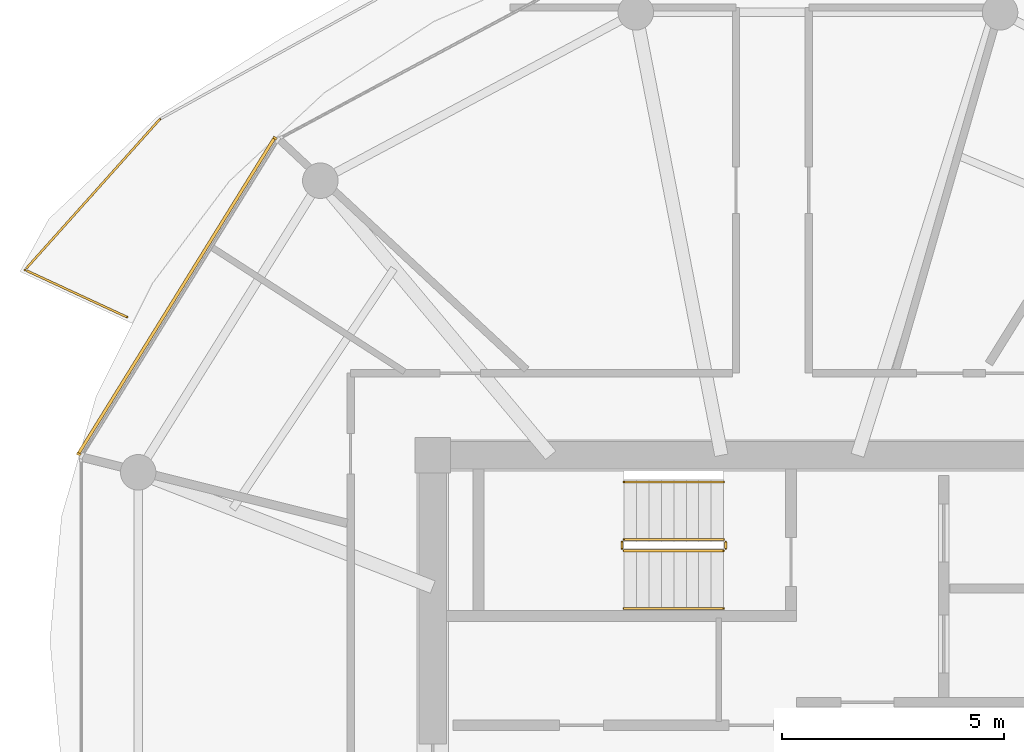
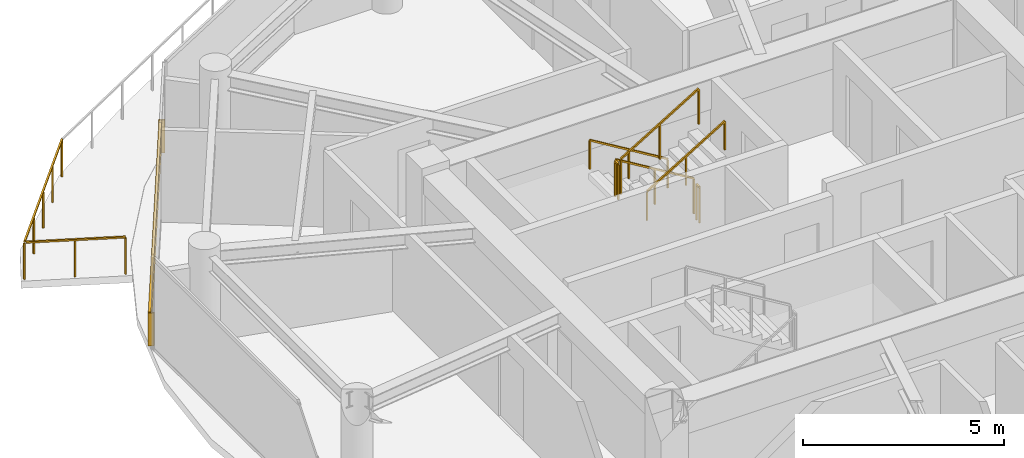
# One storey, part 19 of 21: 7 railings, 1 shading device.
"""IFC4 building model written with IfcOpenShell, lengths in metres."""

from ifc_helpers import new_model, si_unit, direction, frame, origin, origin_2d, place, context, subcontext, project, spatial, rectangle, extrude, source, transform, mapped, material, type_object, type_shapes, element, save


model = new_model("IFC4")

# Units and contexts
model_context = context("Model", 3, precision=1e-05, world=origin(), true_north=direction((0.0, 1.0)))
body_context = subcontext(model_context, "Body", "Model", "MODEL_VIEW")
ifc_project = project(units=[si_unit("LENGTHUNIT", "METRE"), si_unit("AREAUNIT", "SQUARE_METRE"), si_unit("VOLUMEUNIT", "CUBIC_METRE"), si_unit("PLANEANGLEUNIT", "RADIAN"), si_unit("MASSUNIT", "GRAM", prefix="KILO")], contexts=[model_context])

# Site, building, storey
site_placement = place(None, origin())
site = spatial("IfcSite", under=ifc_project, at=site_placement, CompositionType="ELEMENT")
building_placement = place(site_placement, origin())
building = spatial("IfcBuilding", under=site, at=building_placement, Name="Norrkilde Senior Care Towers", CompositionType="ELEMENT")
storey_placement = place(building_placement, frame((0.0, 0.0, 143.449951171875)))
storey = spatial("IfcBuildingStorey", under=building, at=storey_placement, Name="L44", CompositionType="ELEMENT", Elevation=143.449951171875)

# Railings
ifc_material_1 = material(Name="Anodised Aluminium", Category="aluminium")
railing_type_1 = type_object("IfcRailingType", Name="Balcony Swirl Ribbon Guardrail 1150", PredefinedType="GUARDRAIL", material=ifc_material_1)
railing_1_placement = place(storey_placement, frame((-42.5400390625, 9.06396484375, 0.0)))
element("IfcRailing", 1, at=railing_1_placement, inside=storey, type_object=railing_type_1, Name="L44 Perimeter Safety Guard 04", PredefinedType="GUARDRAIL", context=body_context, shape_type="SweptSolid", body=[
    extrude(rectangle(XDim=0.048095703125, YDim=0.048095703125, at=origin_2d()), frame((0.0, 0.0, 1.1259765625), z_axis=(-0.907588875145, 0.419860016807, 0.0), x_axis=(-0.419860016807, -0.907588875145, 0.0)), (0.0, 0.0, 1.0), 2.488037109375),
    extrude(rectangle(XDim=0.048095703125, YDim=0.048095703125, at=origin_2d()), frame((-2.267822265625, 1.09228515625, 1.1259765625), z_axis=(0.666987515687, 0.745068892061, 0.0), x_axis=(-0.745068892061, 0.666987515687, 0.0)), (0.0, 0.0, 1.0), 4.514892578125),
    extrude(rectangle(XDim=0.0419921875, YDim=0.0419921875, at=origin_2d()), origin(), (0.0, 0.0, 1.0), 1.099853515625),
    extrude(rectangle(XDim=0.0419921875, YDim=0.0419921875, at=origin_2d()), frame((-1.1474609375, 0.53076171875, 0.0)), (0.0, 0.0, 1.0), 1.099853515625),
    extrude(rectangle(XDim=0.0419921875, YDim=0.0419921875, at=origin_2d()), frame((-2.295166015625, 1.061767578125, 0.0)), (0.0, 0.0, 1.0), 1.099853515625),
    extrude(rectangle(XDim=0.0419921875, YDim=0.0419921875, at=origin_2d()), frame((-1.53564453125, 1.910400390625, 0.0)), (0.0, 0.0, 1.0), 1.099853515625),
    extrude(rectangle(XDim=0.0419921875, YDim=0.0419921875, at=origin_2d()), frame((-0.77587890625, 2.7587890625, 0.0)), (0.0, 0.0, 1.0), 1.099853515625),
    extrude(rectangle(XDim=0.0419921875, YDim=0.0419921875, at=origin_2d()), frame((-0.01611328125, 3.607421875, 0.0)), (0.0, 0.0, 1.0), 1.099853515625),
    extrude(rectangle(XDim=0.0419921875, YDim=0.0419921875, at=origin_2d()), frame((0.743408203125, 4.4560546875, 0.0)), (0.0, 0.0, 1.0), 1.099853515625),
])
ifc_material_2 = material(Name="Stainless Steel", Category="steel")
railing_type_2 = type_object("IfcRailingType", Name="Stair and Terrace Guardrail 1100", PredefinedType="GUARDRAIL", material=ifc_material_2)
railing_2_placement = place(storey_placement, frame((-29.10009765625, 4.050048828125, 0.16943359375)))
element("IfcRailing", 2, at=railing_2_placement, inside=storey, type_object=railing_type_2, Name="L44 ST-W1 stair guard 1", PredefinedType="GUARDRAIL", context=body_context, shape_type="SweptSolid", body=[
    extrude(rectangle(XDim=0.048095703125, YDim=0.048095703125, at=origin_2d()), frame((0.0, 0.0, 1.076171875), z_axis=(-0.855512035549, 0.0, 0.517782924622), x_axis=(0.0, -1.0, 0.0)), (0.0, 0.0, 1.0), 2.618408203125),
    extrude(rectangle(XDim=0.0419921875, YDim=0.0419921875, at=origin_2d()), origin(), (0.0, 0.0, 1.0), 1.050048828125),
    extrude(rectangle(XDim=0.0419921875, YDim=0.0419921875, at=origin_2d()), frame((-1.1201171875, 0.0, 0.677734375)), (0.0, 0.0, 1.0), 1.050048828125),
    extrude(rectangle(XDim=0.0419921875, YDim=0.0419921875, at=origin_2d()), frame((-2.239990234375, 0.0, 1.355712890625)), (0.0, 0.0, 1.0), 1.050048828125),
])
railing_3_placement = place(storey_placement, frame((-31.389892578125, 4.0, 1.525146484375)))
element("IfcRailing", 3, at=railing_3_placement, inside=storey, type_object=railing_type_2, Name="L44 ST-W1 stair guard 2", PredefinedType="GUARDRAIL", context=body_context, shape_type="SweptSolid", body=[
    extrude(rectangle(XDim=0.048095703125, YDim=0.048095703125, at=origin_2d()), frame((0.0, 0.0, 1.076171875), z_axis=(0.0, -1.0, 0.0), x_axis=(1.0, 0.0, 0.0)), (0.0, 0.0, 1.0), 0.14990234375),
    extrude(rectangle(XDim=0.0419921875, YDim=0.0419921875, at=origin_2d()), origin(), (0.0, 0.0, 1.0), 1.050048828125),
    extrude(rectangle(XDim=0.0419921875, YDim=0.0419921875, at=origin_2d()), frame((0.0, -0.14990234375, 0.0)), (0.0, 0.0, 1.0), 1.050048828125),
])
railing_4_placement = place(storey_placement, frame((-31.340087890625, 3.800048828125, 1.694580078125)))
element("IfcRailing", 4, at=railing_4_placement, inside=storey, type_object=railing_type_2, Name="L44 ST-W1 stair guard 3", PredefinedType="GUARDRAIL", context=body_context, shape_type="SweptSolid", body=[
    extrude(rectangle(XDim=0.048095703125, YDim=0.048095703125, at=origin_2d()), frame((0.0, 0.0, 1.076171875), z_axis=(0.855553338991, 0.0, 0.51771467445), x_axis=(0.0, 1.0, 0.0)), (0.0, 0.0, 1.0), 2.6181640625),
    extrude(rectangle(XDim=0.0419921875, YDim=0.0419921875, at=origin_2d()), origin(), (0.0, 0.0, 1.0), 1.050048828125),
    extrude(rectangle(XDim=0.0419921875, YDim=0.0419921875, at=origin_2d()), frame((1.1201171875, 0.0, 0.677734375)), (0.0, 0.0, 1.0), 1.050048828125),
    extrude(rectangle(XDim=0.0419921875, YDim=0.0419921875, at=origin_2d()), frame((2.239990234375, 0.0, 1.35546875)), (0.0, 0.0, 1.0), 1.050048828125),
])
railing_5_placement = place(storey_placement, frame((-29.050048828125, 4.0, 0.0)))
element("IfcRailing", 5, at=railing_5_placement, inside=storey, type_object=railing_type_2, Name="L44 ST-W1 stair guard 4", PredefinedType="GUARDRAIL", context=body_context, shape_type="SweptSolid", body=[
    extrude(rectangle(XDim=0.048095703125, YDim=0.048095703125, at=origin_2d()), frame((0.0, 0.0, 1.076171875), z_axis=(0.0, -1.0, 0.0), x_axis=(1.0, 0.0, 0.0)), (0.0, 0.0, 1.0), 0.14990234375),
    extrude(rectangle(XDim=0.0419921875, YDim=0.0419921875, at=origin_2d()), origin(), (0.0, 0.0, 1.0), 1.050048828125),
    extrude(rectangle(XDim=0.0419921875, YDim=0.0419921875, at=origin_2d()), frame((0.0, -0.14990234375, 0.0)), (0.0, 0.0, 1.0), 1.050048828125),
])
ifc_material_3 = material(Name="Nordic Ash Timber", Category="wood")
railing_type_3 = type_object("IfcRailingType", Name="Wall and Stair Handrail 900", PredefinedType="HANDRAIL", material=ifc_material_3)
railing_6_placement = place(storey_placement, frame((-29.10009765625, 5.35009765625, 0.16943359375)))
element("IfcRailing", 6, at=railing_6_placement, inside=storey, type_object=railing_type_3, Name="L44 ST-W1 stair handrail 1", PredefinedType="HANDRAIL", context=body_context, shape_type="SweptSolid", body=[
    extrude(rectangle(XDim=0.048095703125, YDim=0.048095703125, at=origin_2d()), frame((0.0, 0.0, 0.8759765625), z_axis=(-0.855512035549, 0.0, 0.517782924622), x_axis=(0.0, -1.0, 0.0)), (0.0, 0.0, 1.0), 2.618408203125),
    extrude(rectangle(XDim=0.0419921875, YDim=0.0419921875, at=origin_2d()), origin(), (0.0, 0.0, 1.0), 0.849853515625),
    extrude(rectangle(XDim=0.0419921875, YDim=0.0419921875, at=origin_2d()), frame((-1.1201171875, 0.0, 0.677734375)), (0.0, 0.0, 1.0), 0.849853515625),
    extrude(rectangle(XDim=0.0419921875, YDim=0.0419921875, at=origin_2d()), frame((-2.239990234375, 0.0, 1.355712890625)), (0.0, 0.0, 1.0), 0.849853515625),
])
railing_7_placement = place(storey_placement, frame((-31.340087890625, 2.5, 1.694580078125)))
element("IfcRailing", 7, at=railing_7_placement, inside=storey, type_object=railing_type_3, Name="L44 ST-W1 stair handrail 2", PredefinedType="HANDRAIL", context=body_context, shape_type="SweptSolid", body=[
    extrude(rectangle(XDim=0.048095703125, YDim=0.048095703125, at=origin_2d()), frame((0.0, 0.0, 0.8759765625), z_axis=(0.855553338991, 0.0, 0.51771467445), x_axis=(0.0, 1.0, 0.0)), (0.0, 0.0, 1.0), 2.6181640625),
    extrude(rectangle(XDim=0.0419921875, YDim=0.0419921875, at=origin_2d()), origin(), (0.0, 0.0, 1.0), 0.849853515625),
    extrude(rectangle(XDim=0.0419921875, YDim=0.0419921875, at=origin_2d()), frame((1.1201171875, 0.0, 0.677734375)), (0.0, 0.0, 1.0), 0.849853515625),
    extrude(rectangle(XDim=0.0419921875, YDim=0.0419921875, at=origin_2d()), frame((2.239990234375, 0.0, 1.35546875)), (0.0, 0.0, 1.0), 0.849853515625),
])

# Shading device
ifc_material_4 = material(Name="Architectural Terracotta", Category="masonry")
shading_device_type = type_object("IfcShadingDeviceType", Name="Horizontal Terracotta Baguette Rack", PredefinedType="USERDEFINED", material=ifc_material_4)
shared_shape = source(origin(), body_context, "Body", "SweptSolid", [
    extrude(rectangle(XDim=0.070068359375, YDim=0.110107421875, at=origin_2d()), frame((0.0, 0.090087890625, 0.125), z_axis=(1.0, 0.0, 0.0), x_axis=(0.0, 1.0, 0.0)), (0.0, 0.0, 1.0), 8.431396484375),
    extrude(rectangle(XDim=0.070068359375, YDim=0.110107421875, at=origin_2d()), frame((0.0, 0.090087890625, 0.375), z_axis=(1.0, 0.0, 0.0), x_axis=(0.0, 1.0, 0.0)), (0.0, 0.0, 1.0), 8.431396484375),
    extrude(rectangle(XDim=0.070068359375, YDim=0.110107421875, at=origin_2d()), frame((0.0, 0.090087890625, 0.625), z_axis=(1.0, 0.0, 0.0), x_axis=(0.0, 1.0, 0.0)), (0.0, 0.0, 1.0), 8.431396484375),
    extrude(rectangle(XDim=0.070068359375, YDim=0.110107421875, at=origin_2d()), frame((0.0, 0.090087890625, 0.875), z_axis=(1.0, 0.0, 0.0), x_axis=(0.0, 1.0, 0.0)), (0.0, 0.0, 1.0), 8.431396484375),
    extrude(rectangle(XDim=0.050048828125, YDim=0.1552734375, at=origin_2d()), frame((0.02490234375, 0.047607421875, 0.0)), (0.0, 0.0, 1.0), 1.0),
    extrude(rectangle(XDim=0.050048828125, YDim=0.1552734375, at=origin_2d()), frame((8.40625, 0.047607421875, 0.0)), (0.0, 0.0, 1.0), 1.0),
])
type_shapes(shading_device_type, [shared_shape])
shading_device_placement = place(storey_placement, frame((-43.569580078125, 5.911376953125, 0.080078125), z_axis=(0.0, 0.0, 1.0), x_axis=(0.527378022296, 0.849630809324, 0.0)))
element("IfcShadingDevice", 8, at=shading_device_placement, inside=storey, type_object=shading_device_type, Name="L44 Drum W Terracotta Baguette Screen 04", ObjectType="BAGUETTE", PredefinedType="USERDEFINED", context=body_context, shape_type="MappedRepresentation", body=[
    mapped(shared_shape, transform((0.0, 0.0, 0.0), x_axis=(1.0, 0.0, 0.0), y_axis=(0.0, 1.0, 0.0), z_axis=(0.0, 0.0, 1.0), scale=1.0)),
])

save(model, "model.ifc")
